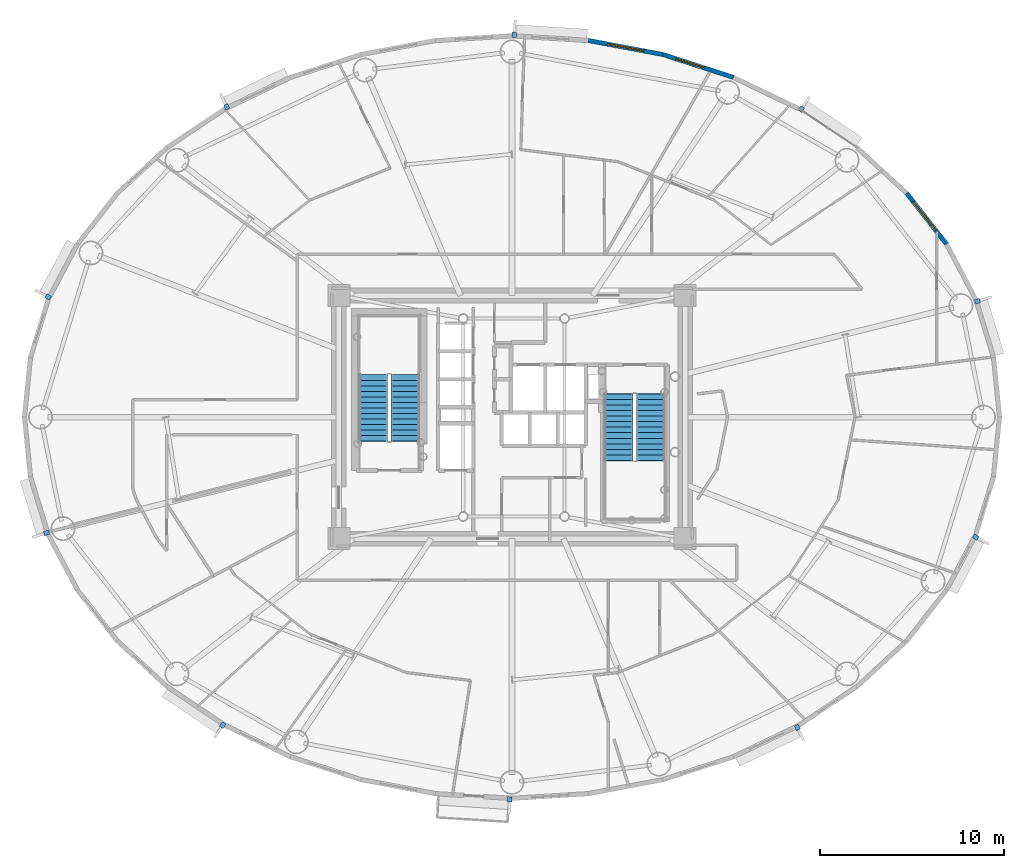
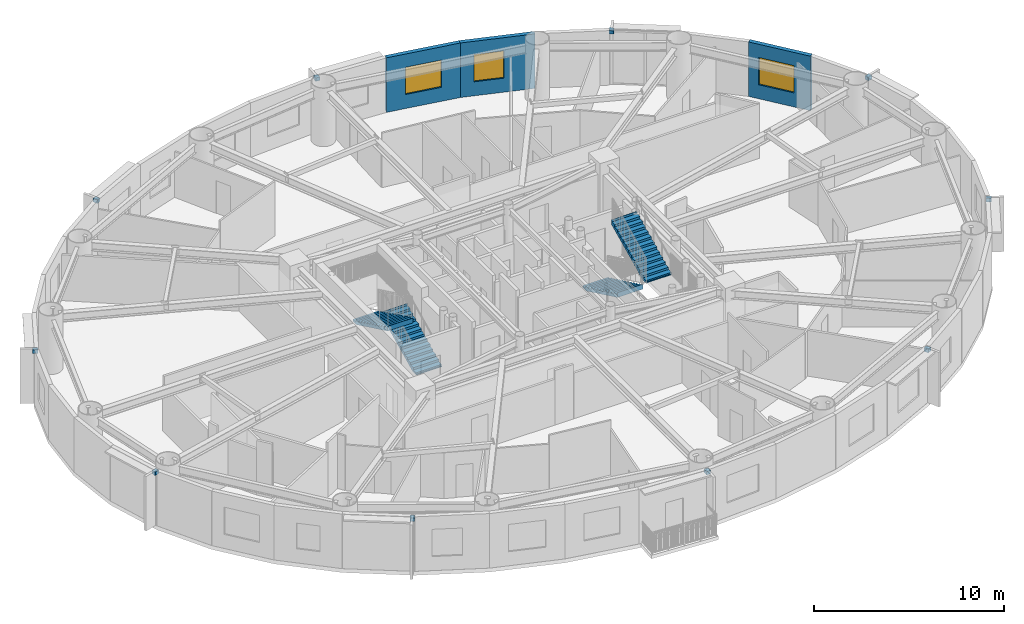
# One storey, part 13 of 19: 10 discrete accessories, 4 stair flights, 3 walls, 3 windows, 3 openings, 2 elements without a shape of their own.
"""IFC4 building model written with IfcOpenShell, lengths in metres."""

from ifc_helpers import new_model, si_unit, direction, frame, frame_2d, origin, origin_2d, place, context, subcontext, project, spatial, polyline, rectangle, outline, extrude, source, transform, mapped, material, layer, layer_set, type_object, element, fill, aggregate, save


model = new_model("IFC4")

# Units and contexts
model_context = context("Model", 3, precision=1e-05, world=origin(), true_north=direction((0.0, 1.0)))
body_context = subcontext(model_context, "Body", "Model", "MODEL_VIEW")
ifc_project = project(units=[si_unit("LENGTHUNIT", "METRE"), si_unit("AREAUNIT", "SQUARE_METRE"), si_unit("VOLUMEUNIT", "CUBIC_METRE"), si_unit("PLANEANGLEUNIT", "RADIAN"), si_unit("MASSUNIT", "GRAM", prefix="KILO")], contexts=[model_context])

# Site, building, storey
site_placement = place(None, origin())
site = spatial("IfcSite", under=ifc_project, at=site_placement, CompositionType="ELEMENT")
building_placement = place(site_placement, origin())
building = spatial("IfcBuilding", under=site, at=building_placement, Name="Linh Dai School and Residence Tower", CompositionType="ELEMENT")
storey_placement = place(building_placement, frame((0.0, 0.0, 193.64990234375)))
storey = spatial("IfcBuildingStorey", under=building, at=storey_placement, Name="L47", CompositionType="ELEMENT", Elevation=193.64990234375)

# Wall, opening, window
ifc_material_1 = material(Name="Precast Concrete B45 (C35/45)", Category="concrete")
ifc_layer = layer(ifc_material_1, 0.239990234375)
ifc_layer_set = layer_set([ifc_layer], Name="Precast Concrete B45 (C35/45)")
wall_type = type_object("IfcWallType", Name="EW-TC-240", PredefinedType="SOLIDWALL", material=ifc_layer_set)
wall_1_placement = place(storey_placement, frame((57.42822265625, 39.158447265625, 0.0), z_axis=(0.0, 0.0, 1.0), x_axis=(0.616287674549, -0.787521112224, 0.0)))
wall_1 = element("IfcWall", 1, at=wall_1_placement, inside=storey, type_object=wall_type, Name="L47 Terracotta Exterior Wall 04", PredefinedType="SOLIDWALL", context=body_context, shape_type="SweptSolid", body=[
    extrude(rectangle(XDim=3.517333984375, YDim=0.239990234375, at=frame_2d((1.7587890625, 0.0))), origin(), (0.0, 0.0, 1.0), 3.5),
])
opening_1_placement = place(wall_1_placement, frame((0.5791015625, 0.0, 0.89990234375)))
opening_1 = element("IfcOpeningElement", 2, at=opening_1_placement, cuts=wall_1, Name="Opening W1", PredefinedType="OPENING", context=body_context, shape_type="SweptSolid", body=[
    extrude(rectangle(XDim=2.0, YDim=1.75, at=origin_2d()), frame((1.0, 0.1298828125, 0.875), z_axis=(0.0, -1.0, 0.0), x_axis=(1.0, 0.0, 0.0)), (0.0, 0.0, 1.0), 0.260009765625),
])
ifc_material_2 = material(Name="Double Low-E Insulated Glazing", Category="glass")
window_type_1 = type_object("IfcWindowType", Name="WN-RES-2000x1750", PartitioningType="DOUBLE_PANEL_VERTICAL", PredefinedType="WINDOW", material=ifc_material_2)
shared_shape_1 = source(origin(), body_context, "Body", "SweptSolid", [
    extrude(rectangle(XDim=2.0, YDim=1.75, at=origin_2d()), frame((1.0, 0.030029296875, 0.875), z_axis=(0.0, -1.0, 0.0), x_axis=(1.0, 0.0, 0.0)), (0.0, 0.0, 1.0), 0.06005859375),
])
window_1_placement = place(opening_1_placement, origin())
window_1 = element("IfcWindow", 3, at=window_1_placement, inside=storey, type_object=window_type_1, Name="L47 Exterior Window 04.1", OverallHeight=1.75, OverallWidth=2.0, PartitioningType="DOUBLE_PANEL_VERTICAL", PredefinedType="WINDOW", context=body_context, shape_type="MappedRepresentation", body=[
    mapped(shared_shape_1, transform((0.0, 0.0, 0.0), x_axis=(1.0, 0.0, 0.0), y_axis=(0.0, 1.0, 0.0), z_axis=(0.0, 0.0, 1.0), scale=1.0)),
])
fill(opening_1, window_1)

wall_2_placement = place(storey_placement, frame((44.18896484375, 46.689453125, 0.0), z_axis=(0.0, 0.0, 1.0), x_axis=(0.951209870236, -0.30854462038, 0.0)))
wall_2 = element("IfcWall", 4, at=wall_2_placement, inside=storey, type_object=wall_type, Name="L47 Terracotta Exterior Wall 08", PredefinedType="SOLIDWALL", context=body_context, shape_type="SweptSolid", body=[
    extrude(rectangle(XDim=4.037841796875, YDim=0.239990234375, at=frame_2d((2.01904296875, 0.0))), origin(), (0.0, 0.0, 1.0), 3.5),
])
opening_2_placement = place(wall_2_placement, frame((0.7568359375, 0.0, 0.89990234375)))
opening_2 = element("IfcOpeningElement", 5, at=opening_2_placement, cuts=wall_2, Name="Opening W2", PredefinedType="OPENING", context=body_context, shape_type="SweptSolid", body=[
    extrude(rectangle(XDim=1.60009765625, YDim=1.75, at=origin_2d()), frame((0.800048828125, 0.1298828125, 0.875), z_axis=(0.0, -1.0, 0.0), x_axis=(1.0, 0.0, 0.0)), (0.0, 0.0, 1.0), 0.260009765625),
])
window_type_2 = type_object("IfcWindowType", Name="WN-RES-1600x1750", PartitioningType="DOUBLE_PANEL_VERTICAL", PredefinedType="WINDOW", material=ifc_material_2)
shared_shape_2 = source(origin(), body_context, "Body", "SweptSolid", [
    extrude(rectangle(XDim=1.60009765625, YDim=1.75, at=origin_2d()), frame((0.800048828125, 0.030029296875, 0.875), z_axis=(0.0, -1.0, 0.0), x_axis=(1.0, 0.0, 0.0)), (0.0, 0.0, 1.0), 0.06005859375),
])
window_2_placement = place(opening_2_placement, origin())
window_2 = element("IfcWindow", 6, at=window_2_placement, inside=storey, type_object=window_type_2, Name="L47 Exterior Window 08.1", OverallHeight=1.75, OverallWidth=1.60009765625, PartitioningType="DOUBLE_PANEL_VERTICAL", PredefinedType="WINDOW", context=body_context, shape_type="MappedRepresentation", body=[
    mapped(shared_shape_2, transform((0.0, 0.0, 0.0), x_axis=(1.0, 0.0, 0.0), y_axis=(0.0, 1.0, 0.0), z_axis=(0.0, 0.0, 1.0), scale=1.0)),
])
fill(opening_2, window_2)

wall_3_placement = place(storey_placement, frame((40.145751953125, 47.449462890625, 0.0), z_axis=(0.0, 0.0, 1.0), x_axis=(0.982788108205, -0.184736391573, 0.0)))
wall_3 = element("IfcWall", 7, at=wall_3_placement, inside=storey, type_object=wall_type, Name="L47 Terracotta Exterior Wall 09", PredefinedType="SOLIDWALL", context=body_context, shape_type="SweptSolid", body=[
    extrude(rectangle(XDim=4.114013671875, YDim=0.239990234375, at=frame_2d((2.05712890625, 0.0))), origin(), (0.0, 0.0, 1.0), 3.5),
])
opening_3_placement = place(wall_3_placement, frame((1.056884765625, 0.0, 0.89990234375)))
opening_3 = element("IfcOpeningElement", 8, at=opening_3_placement, cuts=wall_3, Name="Opening W1", PredefinedType="OPENING", context=body_context, shape_type="SweptSolid", body=[
    extrude(rectangle(XDim=2.0, YDim=1.75, at=origin_2d()), frame((1.0, 0.1298828125, 0.875), z_axis=(0.0, -1.0, 0.0), x_axis=(1.0, 0.0, 0.0)), (0.0, 0.0, 1.0), 0.260009765625),
])
window_3_placement = place(opening_3_placement, origin())
window_3 = element("IfcWindow", 9, at=window_3_placement, inside=storey, type_object=window_type_1, Name="L47 Exterior Window 09.1", OverallHeight=1.75, OverallWidth=2.0, PartitioningType="DOUBLE_PANEL_VERTICAL", PredefinedType="WINDOW", context=body_context, shape_type="MappedRepresentation", body=[
    mapped(shared_shape_1, transform((0.0, 0.0, 0.0), x_axis=(1.0, 0.0, 0.0), y_axis=(0.0, 1.0, 0.0), z_axis=(0.0, 0.0, 1.0), scale=1.0)),
])
fill(opening_3, window_3)

# Stair, stair flights
ifc_material_3 = material(Name="Concrete B45 (C35/45)", Category="concrete")
stair_type = type_object("IfcStairType", Name="ST-DOG-1550-R1442", PredefinedType="HALF_TURN_STAIR", material=ifc_material_3)
stair_1_placement = place(storey_placement, origin())
stair_1 = element("IfcStair", 10, at=stair_1_placement, inside=storey, type_object=stair_type, Name="L47 Core Smokeproof Exit Stair ST1", PredefinedType="HALF_TURN_STAIR")
stair_flight_type = type_object("IfcStairFlightType", Name="STF-STR-1550-R1442", PredefinedType="STRAIGHT", material=ifc_material_3)
shared_shape_3 = source(origin(), body_context, "Body", "SweptSolid", [
    extrude(outline(polyline([(-0.02490234375, 0.0), (-0.02490234375, 0.06005859375), (0.0, 0.06005859375), (0.0, 0.144287109375), (0.300048828125, 0.144287109375), (0.300048828125, 0.28857421875), (0.60009765625, 0.28857421875), (0.60009765625, 0.4326171875), (0.89990234375, 0.4326171875), (0.89990234375, 0.576904296875), (1.199951171875, 0.576904296875), (1.199951171875, 0.72119140625), (1.5, 0.72119140625), (1.5, 0.865478515625), (1.800048828125, 0.865478515625), (1.800048828125, 1.009521484375), (2.10009765625, 1.009521484375), (2.10009765625, 1.15380859375), (2.39990234375, 1.15380859375), (2.39990234375, 1.298095703125), (2.699951171875, 1.298095703125), (2.699951171875, 1.4423828125), (3.0, 1.4423828125), (3.0, 1.58642578125), (3.300048828125, 1.58642578125), (3.300048828125, 1.730712890625), (3.60009765625, 1.730712890625), (3.60009765625, 1.875), (3.625, 1.875), (3.625, 1.564453125), (3.60009765625, 1.564453125), (0.345947265625, 0.0), (-0.02490234375, 0.0)])), frame((0.0, 0.77490234375, 0.0), z_axis=(0.0, -1.0, 0.0), x_axis=(1.0, 0.0, 0.0)), (0.0, 0.0, 1.0), 1.550048828125),
])
stair_flight_1_placement = place(storey_placement, frame((30.205078125, 25.699951171875, 0.0), z_axis=(0.0, 0.0, 1.0), x_axis=(0.0, 1.0, 0.0)))
stair_flight_1 = element("IfcStairFlight", 11, at=stair_flight_1_placement, type_object=stair_flight_type, Name="ST1 flight 1", NumberOfRisers=13, NumberOfTreads=12, PredefinedType="STRAIGHT", RiserHeight=0.144230769, TreadLength=0.3, context=body_context, shape_type="MappedRepresentation", body=[
    mapped(shared_shape_3, transform((0.0, 0.0, 0.0), x_axis=(1.0, 0.0, 0.0), y_axis=(0.0, 1.0, 0.0), z_axis=(0.0, 0.0, 1.0), scale=1.0)),
])
stair_flight_2_placement = place(storey_placement, frame((28.455078125, 29.300048828125, 1.875), z_axis=(0.0, 0.0, 1.0), x_axis=(0.0, -1.0, 0.0)))
stair_flight_2 = element("IfcStairFlight", 12, at=stair_flight_2_placement, type_object=stair_flight_type, Name="ST1 flight 2", NumberOfRisers=13, NumberOfTreads=12, PredefinedType="STRAIGHT", RiserHeight=0.144230769, TreadLength=0.3, context=body_context, shape_type="MappedRepresentation", body=[
    mapped(shared_shape_3, transform((0.0, 0.0, 0.0), x_axis=(1.0, 0.0, 0.0), y_axis=(0.0, 1.0, 0.0), z_axis=(0.0, 0.0, 1.0), scale=1.0)),
])
aggregate(stair_1, [stair_flight_1, stair_flight_2])

stair_2_placement = place(storey_placement, origin())
stair_2 = element("IfcStair", 13, at=stair_2_placement, inside=storey, type_object=stair_type, Name="L47 Core Smokeproof Exit Stair ST2", PredefinedType="HALF_TURN_STAIR")
stair_flight_3_placement = place(storey_placement, frame((41.794921875, 28.25, 0.0), z_axis=(0.0, 0.0, 1.0), x_axis=(0.0, -1.0, 0.0)))
stair_flight_3 = element("IfcStairFlight", 14, at=stair_flight_3_placement, type_object=stair_flight_type, Name="ST2 flight 1", NumberOfRisers=13, NumberOfTreads=12, PredefinedType="STRAIGHT", RiserHeight=0.144230769, TreadLength=0.3, context=body_context, shape_type="MappedRepresentation", body=[
    mapped(shared_shape_3, transform((0.0, 0.0, 0.0), x_axis=(1.0, 0.0, 0.0), y_axis=(0.0, 1.0, 0.0), z_axis=(0.0, 0.0, 1.0), scale=1.0)),
])
stair_flight_4_placement = place(storey_placement, frame((43.544921875, 24.64990234375, 1.875), z_axis=(0.0, 0.0, 1.0), x_axis=(0.0, 1.0, 0.0)))
stair_flight_4 = element("IfcStairFlight", 15, at=stair_flight_4_placement, type_object=stair_flight_type, Name="ST2 flight 2", NumberOfRisers=13, NumberOfTreads=12, PredefinedType="STRAIGHT", RiserHeight=0.144230769, TreadLength=0.3, context=body_context, shape_type="MappedRepresentation", body=[
    mapped(shared_shape_3, transform((0.0, 0.0, 0.0), x_axis=(1.0, 0.0, 0.0), y_axis=(0.0, 1.0, 0.0), z_axis=(0.0, 0.0, 1.0), scale=1.0)),
])
aggregate(stair_2, [stair_flight_3, stair_flight_4])

# Discrete accessories
ifc_material_4 = material(Name="Structural Steel S355JR", Category="steel")
discrete_accessory_type = type_object("IfcDiscreteAccessoryType", Name="ACC-BRK-S355", PredefinedType="BRACKET", material=ifc_material_4)
shared_shape_4 = source(origin(), body_context, "Body", "SweptSolid", [
    extrude(rectangle(XDim=0.280029296875, YDim=0.239990234375, at=origin_2d()), origin(), (0.0, 0.0, 1.0), 0.219970703125),
])
for number, where, z_axis, x_axis, name in (
    (16, (61.275146484375, 33.291748046875, 3.25), (0.0, 0.0, 1.0), (0.956075055167, 0.293121969301, 0.0), "L47 Facade Frame Anchor Bracket 02"),
    (17, (51.706298828125, 43.726318359375, 3.25), (0.0, 0.0, 1.0), (0.555931154932, 0.831228338651, 0.0), "L47 Facade Frame Anchor Bracket 06"),
    (18, (36.12353515625, 47.757568359375, 3.25), (0.0, 0.0, 1.0), (0.061512376467, 0.99810632076, 0.0), "L47 Facade Frame Anchor Bracket 10"),
    (19, (20.509033203125, 43.84912109375, 3.25), (0.0, 0.0, 1.0), (-0.432634701653, 0.901569306779, 0.0), "L47 Facade Frame Anchor Bracket 14"),
    (20, (10.8203125, 33.52294921875, 3.25), (0.0, 0.0, 1.0), (-0.883950726378, 0.467580060884, 0.0), "L47 Facade Frame Anchor Bracket 18"),
    (21, (10.724853515625, 20.708251953125, 3.25), (0.0, 0.0, 1.0), (-0.956075055167, -0.293121969301, 0.0), "L47 Facade Frame Anchor Bracket 22"),
    (22, (20.293701171875, 10.273681640625, 3.25), (0.0, 0.0, 1.0), (-0.555931154932, -0.831228338651, 0.0), "L47 Facade Frame Anchor Bracket 26"),
    (23, (35.87646484375, 6.242431640625, 3.25), (0.0, 0.0, 1.0), (-0.061512376467, -0.99810632076, 0.0), "L47 Facade Frame Anchor Bracket 30"),
    (24, (51.490966796875, 10.15087890625, 3.25), (0.0, 0.0, 1.0), (0.432634701653, -0.901569306779, 0.0), "L47 Facade Frame Anchor Bracket 34"),
    (25, (61.1796875, 20.47705078125, 3.25), (0.0, 0.0, 1.0), (0.883950726378, -0.467580060884, 0.0), "L47 Facade Frame Anchor Bracket 38"),
):
    element("IfcDiscreteAccessory", number, at=place(storey_placement, frame(where, z_axis=z_axis, x_axis=x_axis)), inside=storey, type_object=discrete_accessory_type, Name=name, PredefinedType="BRACKET", context=body_context, shape_type="MappedRepresentation", body=[
        mapped(shared_shape_4, transform((0.0, 0.0, 0.0), x_axis=(1.0, 0.0, 0.0), y_axis=(0.0, 1.0, 0.0), z_axis=(0.0, 0.0, 1.0), scale=1.0)),
    ])

save(model, "model.ifc")
